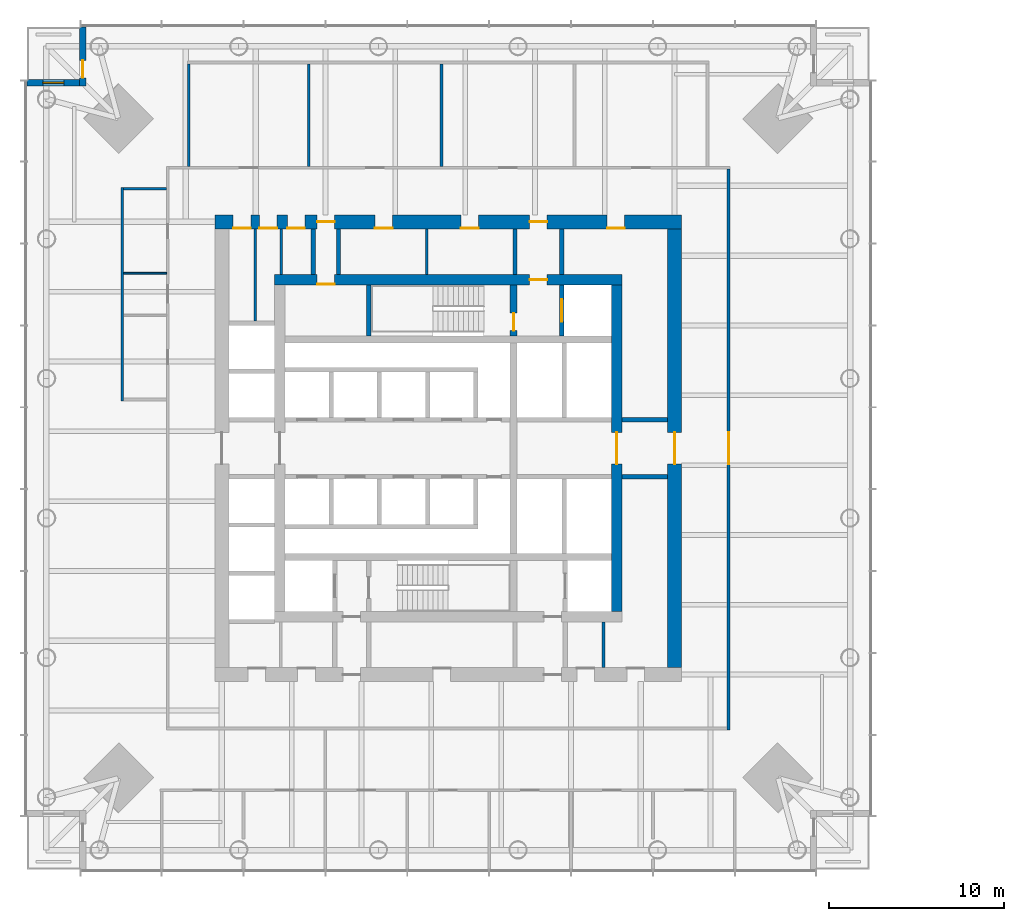
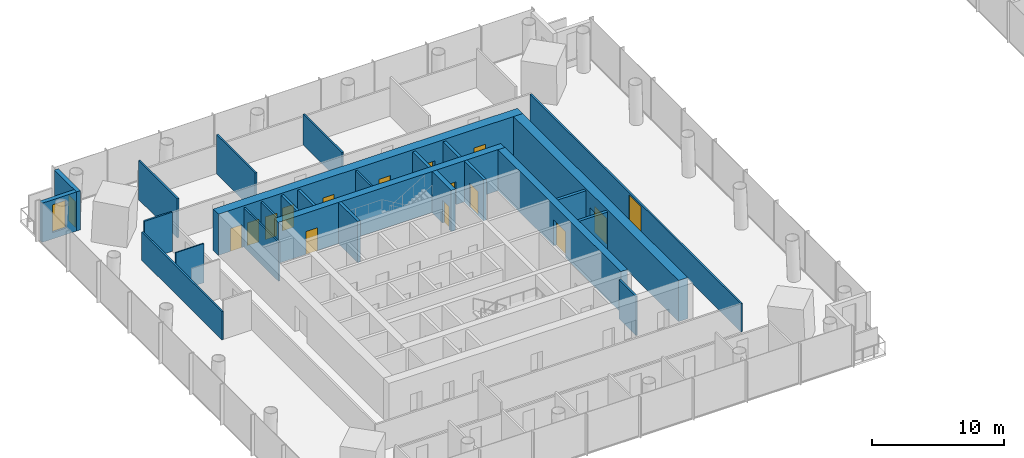
# One storey, part 10 of 18: 26 walls, 16 doors, 1 window, 17 openings.
"""IFC4 building model written with IfcOpenShell, lengths in metres."""

from ifc_helpers import new_model, si_unit, direction, frame, frame_2d, origin, place, context, subcontext, project, spatial, rectangle, extrude, material, layer, layer_set, type_object, element, fill, save


model = new_model("IFC4")

# Units and contexts
model_context = context("Model", 3, precision=1e-05, world=origin(), true_north=direction((0.0, 1.0)))
body_context = subcontext(model_context, "Body", "Model", "MODEL_VIEW")
ifc_project = project(units=[si_unit("LENGTHUNIT", "METRE"), si_unit("AREAUNIT", "SQUARE_METRE"), si_unit("VOLUMEUNIT", "CUBIC_METRE"), si_unit("PLANEANGLEUNIT", "RADIAN"), si_unit("MASSUNIT", "GRAM", prefix="KILO")], contexts=[model_context])

# Site, building, storey
site_placement = place(None, origin())
site = spatial("IfcSite", under=ifc_project, at=site_placement, CompositionType="ELEMENT")
building_placement = place(site_placement, origin())
building = spatial("IfcBuilding", under=site, at=building_placement, Name="Ostroluk Exchange", CompositionType="ELEMENT")
storey_placement = place(building_placement, frame((0.0, 0.0, 55.199951171875)))
storey = spatial("IfcBuildingStorey", under=building, at=storey_placement, Name="L13", CompositionType="ELEMENT", Elevation=55.199951171875)

# Walls
ifc_material_1 = material(Name="Concrete blockwork", Category="masonry")
ifc_layer_1 = layer(ifc_material_1, 0.10009765625)
ifc_layer_set_1 = layer_set([ifc_layer_1], Name="Blockwork WC wall 100")
wall_type_1 = type_object("IfcWallType", Name="Blockwork WC wall 100", PredefinedType="SOLIDWALL", material=ifc_layer_set_1)
wall_1_placement = place(storey_placement, frame((28.949951171875, 55.97509765625, 0.0), z_axis=(0.0, 0.0, 1.0), x_axis=(-1.0, 0.0, 0.0)))
element("IfcWall", 1, at=wall_1_placement, inside=storey, type_object=wall_type_1, Name="Blockwork WC wall", PredefinedType="SOLIDWALL", context=body_context, shape_type="SweptSolid", body=[
    extrude(rectangle(XDim=2.449951171875, YDim=0.10009765625, at=frame_2d((1.22509765625, 0.0))), origin(), (0.0, 0.0, 1.0), 3.6201171875),
])
ifc_material_2 = material(Name="Concrete blockwork", Category="masonry")
ifc_layer_2 = layer(ifc_material_2, 0.14990234375)
ifc_layer_set_2 = layer_set([ifc_layer_2], Name="Blockwork plant room wall 150")
wall_type_2 = type_object("IfcWallType", Name="Blockwork plant room wall 150", PredefinedType="SOLIDWALL", material=ifc_layer_set_2)
wall_2_placement = place(storey_placement, frame((33.99609375, 53.25, 0.0), z_axis=(0.0, 0.0, 1.0), x_axis=(0.0, 1.0, 0.0)))
element("IfcWall", 2, at=wall_2_placement, inside=storey, type_object=wall_type_2, Name="Core room wall", PredefinedType="SOLIDWALL", context=body_context, shape_type="SweptSolid", body=[
    extrude(rectangle(XDim=5.25, YDim=0.14990234375, at=frame_2d((2.625, 0.0))), origin(), (0.0, 0.0, 1.0), 3.6201171875),
])
for number, where, z_axis, x_axis, name in (
    (3, (35.491943359375, 55.89990234375, 0.0), (0.0, 0.0, 1.0), (0.0, 1.0, 0.0), "Core room wall"),
    (4, (43.777587890625, 55.89990234375, 0.0), (0.0, 0.0, 1.0), (0.0, 1.0, 0.0), "Core room wall"),
    (5, (53.85205078125, 33.5, 0.0), (0.0, 0.0, 1.0), (0.0, 1.0, 0.0), "Core room wall"),
):
    element("IfcWall", number, at=place(storey_placement, frame(where, z_axis=z_axis, x_axis=x_axis)), inside=storey, type_object=wall_type_2, Name=name, PredefinedType="SOLIDWALL", context=body_context, shape_type="SweptSolid", body=[
        extrude(rectangle(XDim=2.60009765625, YDim=0.14990234375, at=frame_2d((1.300048828125, 0.0))), origin(), (0.0, 0.0, 1.0), 3.6201171875),
    ])
ifc_material_3 = material(Name="Concrete blockwork", Category="masonry")
ifc_layer_3 = layer(ifc_material_3, 0.25)
ifc_layer_set_3 = layer_set([ifc_layer_3], Name="Blockwork stair enclosure wall 250")
wall_type_3 = type_object("IfcWallType", Name="Blockwork stair enclosure wall 250", PredefinedType="SOLIDWALL", material=ifc_layer_set_3)
for number, where, z_axis, x_axis, name in (
    (6, (48.804931640625, 55.89990234375, 0.0), (0.0, 0.0, 1.0), (0.0, 1.0, 0.0), "Fire lobby enclosure wall"),
    (7, (51.47509765625, 55.89990234375, 0.0), (0.0, 0.0, 1.0), (0.0, 1.0, 0.0), "Fire lobby enclosure wall"),
    (8, (54.89990234375, 44.375, 0.0), (0.0, 0.0, 1.0), (1.0, 0.0, 0.0), "Lift lobby enclosure wall"),
    (9, (54.89990234375, 47.625, 0.0), (0.0, 0.0, 1.0), (1.0, 0.0, 0.0), "Lift lobby enclosure wall"),
    (10, (37.300048828125, 55.89990234375, 0.0), (0.0, 0.0, 1.0), (0.0, 1.0, 0.0), "Core corridor wall"),
    (11, (38.75, 55.89990234375, 0.0), (0.0, 0.0, 1.0), (0.0, 1.0, 0.0), "Core corridor wall"),
):
    element("IfcWall", number, at=place(storey_placement, frame(where, z_axis=z_axis, x_axis=x_axis)), inside=storey, type_object=wall_type_3, Name=name, PredefinedType="SOLIDWALL", context=body_context, shape_type="SweptSolid", body=[
        extrude(rectangle(XDim=2.60009765625, YDim=0.25, at=frame_2d((1.300048828125, 0.0))), origin(), (0.0, 0.0, 1.0), 3.6201171875),
    ])

# Wall, opening, door
ifc_material_4 = material(Name="Concrete C50/60", Category="concrete")
ifc_layer_4 = layer(ifc_material_4, 0.39990234375)
ifc_layer_set_4 = layer_set([ifc_layer_4], Name="Core cross wall 400 C50/60")
wall_type_4 = type_object("IfcWallType", Name="Core cross wall 400 C50/60", PredefinedType="SHEAR", material=ifc_layer_set_4)
wall_3_placement = place(storey_placement, frame((48.72998046875, 52.39990234375, 0.0), z_axis=(0.0, 0.0, 1.0), x_axis=(0.0, 1.0, 0.0)))
wall_3 = element("IfcWall", 12, at=wall_3_placement, inside=storey, type_object=wall_type_4, Name="T1 core wall YE3", PredefinedType="SHEAR", context=body_context, shape_type="SweptSolid", body=[
    extrude(rectangle(XDim=2.900146484375, YDim=0.39990234375, at=frame_2d((1.4501953125, 0.0))), origin(), (0.0, 0.0, 1.0), 3.800048828125),
])
opening_1_placement = place(wall_3_placement, frame((0.300048828125, 0.0, 0.0)))
opening_1 = element("IfcOpeningElement", 13, at=opening_1_placement, cuts=wall_3, Name="Opening FD60", PredefinedType="OPENING", context=body_context, shape_type="SweptSolid", body=[
    extrude(rectangle(XDim=1.0, YDim=2.10009765625, at=frame_2d((0.5, 1.050048828125))), frame((0.0, 0.2099609375, 0.0), z_axis=(0.0, -1.0, 0.0), x_axis=(1.0, 0.0, 0.0)), (0.0, 0.0, 1.0), 0.419921875),
])
ifc_material_5 = material(Name="Steel", Category="steel")
door_type_1 = type_object("IfcDoorType", Name="Fire door EI 60 1000 x 2100", OperationType="SINGLE_SWING_LEFT", PredefinedType="DOOR", material=ifc_material_5)
door_1_placement = place(opening_1_placement, origin())
door_1 = element("IfcDoor", 14, at=door_1_placement, inside=storey, type_object=door_type_1, Name="Stair T1-S2 door", OperationType="SINGLE_SWING_LEFT", OverallHeight=2.10009765625, OverallWidth=1.0, PredefinedType="DOOR", context=body_context, shape_type="SweptSolid", body=[
    extrude(rectangle(XDim=1.0, YDim=2.10009765625, at=frame_2d((0.5, 1.050048828125))), frame((0.0, 0.02490234375, 0.0), z_axis=(0.0, -1.0, 0.0), x_axis=(1.0, 0.0, 0.0)), (0.0, 0.0, 1.0), 0.050048828125),
])
fill(opening_1, door_1)

# Wall
ifc_material_6 = material(Name="Concrete C40/50", Category="concrete")
ifc_layer_5 = layer(ifc_material_6, 0.25)
ifc_layer_set_5 = layer_set([ifc_layer_5], Name="Core shaft wall 250")
wall_type_5 = type_object("IfcWallType", Name="Core shaft wall 250", PredefinedType="SHEAR", material=ifc_layer_set_5)
wall_4_placement = place(storey_placement, frame((40.47509765625, 52.39990234375, 0.0), z_axis=(0.0, 0.0, 1.0), x_axis=(0.0, 1.0, 0.0)))
element("IfcWall", 15, at=wall_4_placement, inside=storey, type_object=wall_type_5, Name="Stair shaft wall", PredefinedType="SHEAR", context=body_context, shape_type="SweptSolid", body=[
    extrude(rectangle(XDim=2.900146484375, YDim=0.25, at=frame_2d((1.4501953125, 0.0))), origin(), (0.0, 0.0, 1.0), 3.800048828125),
])

# Wall, opening, door
wall_5_placement = place(storey_placement, frame((51.47509765625, 52.39990234375, 0.0), z_axis=(0.0, 0.0, 1.0), x_axis=(0.0, 1.0, 0.0)))
wall_5 = element("IfcWall", 16, at=wall_5_placement, inside=storey, type_object=wall_type_5, Name="Firefighting lift shaft wall", PredefinedType="SHEAR", context=body_context, shape_type="SweptSolid", body=[
    extrude(rectangle(XDim=2.900146484375, YDim=0.25, at=frame_2d((1.4501953125, 0.0))), origin(), (0.0, 0.0, 1.0), 3.800048828125),
])
opening_2_placement = place(wall_5_placement, frame((0.800048828125, 0.0, 0.0)))
opening_2 = element("IfcOpeningElement", 17, at=opening_2_placement, cuts=wall_5, Name="Opening LD2", PredefinedType="OPENING", context=body_context, shape_type="SweptSolid", body=[
    extrude(rectangle(XDim=1.300048828125, YDim=2.199951171875, at=frame_2d((0.64990234375, 1.10009765625))), frame((0.0, 0.135009765625, 0.0), z_axis=(0.0, -1.0, 0.0), x_axis=(1.0, 0.0, 0.0)), (0.0, 0.0, 1.0), 0.27001953125),
])
ifc_material_7 = material(Name="Stainless steel", Category="steel")
door_type_2 = type_object("IfcDoorType", Name="Lift landing door E 60 1300 x 2200", OperationType="DOUBLE_DOOR_SLIDING", PredefinedType="DOOR", material=ifc_material_7)
door_2_placement = place(opening_2_placement, origin())
door_2 = element("IfcDoor", 18, at=door_2_placement, inside=storey, type_object=door_type_2, Name="Lift FL2 landing door", OperationType="DOUBLE_DOOR_SLIDING", OverallHeight=2.199951171875, OverallWidth=1.300048828125, PredefinedType="DOOR", context=body_context, shape_type="SweptSolid", body=[
    extrude(rectangle(XDim=1.300048828125, YDim=2.199951171875, at=frame_2d((0.64990234375, 1.10009765625))), frame((0.0, 0.02490234375, 0.0), z_axis=(0.0, -1.0, 0.0), x_axis=(1.0, 0.0, 0.0)), (0.0, 0.0, 1.0), 0.050048828125),
])
fill(opening_2, door_2)

# Wall, openings, doors
ifc_material_8 = material(Name="Concrete C50/60", Category="concrete")
ifc_layer_6 = layer(ifc_material_8, 0.60009765625)
ifc_layer_set_6 = layer_set([ifc_layer_6], Name="Core wall 600 C50/60")
wall_type_6 = type_object("IfcWallType", Name="Core wall 600 C50/60", PredefinedType="SHEAR", material=ifc_layer_set_6)
wall_6_placement = place(storey_placement, frame((35.10009765625, 55.60009765625, 0.0), z_axis=(0.0, 0.0, 1.0), x_axis=(1.0, 0.0, 0.0)))
wall_6 = element("IfcWall", 19, at=wall_6_placement, inside=storey, type_object=wall_type_6, Name="T1 core wall N", PredefinedType="SHEAR", context=body_context, shape_type="SweptSolid", body=[
    extrude(rectangle(XDim=19.7998046875, YDim=0.60009765625, at=frame_2d((9.89990234375, 0.0))), origin(), (0.0, 0.0, 1.0), 3.800048828125),
])
opening_3_placement = place(wall_6_placement, frame((14.5400390625, 0.0, 0.0)))
opening_3 = element("IfcOpeningElement", 20, at=opening_3_placement, cuts=wall_6, Name="Opening FD60", PredefinedType="OPENING", context=body_context, shape_type="SweptSolid", body=[
    extrude(rectangle(XDim=1.0, YDim=2.10009765625, at=frame_2d((0.5, 1.050048828125))), frame((0.0, 0.31005859375, 0.0), z_axis=(0.0, -1.0, 0.0), x_axis=(1.0, 0.0, 0.0)), (0.0, 0.0, 1.0), 0.6201171875),
])
opening_4_placement = place(wall_6_placement, frame((2.425048828125, 0.0, 0.0)))
opening_4 = element("IfcOpeningElement", 21, at=opening_4_placement, cuts=wall_6, Name="Opening FD60", PredefinedType="OPENING", context=body_context, shape_type="SweptSolid", body=[
    extrude(rectangle(XDim=1.0, YDim=2.10009765625, at=frame_2d((0.5, 1.050048828125))), frame((0.0, 0.31005859375, 0.0), z_axis=(0.0, -1.0, 0.0), x_axis=(1.0, 0.0, 0.0)), (0.0, 0.0, 1.0), 0.6201171875),
])
door_3_placement = place(opening_3_placement, origin())
door_3 = element("IfcDoor", 22, at=door_3_placement, inside=storey, type_object=door_type_1, Name="Firefighting lobby door", OperationType="SINGLE_SWING_RIGHT", OverallHeight=2.10009765625, OverallWidth=1.0, PredefinedType="DOOR", context=body_context, shape_type="SweptSolid", body=[
    extrude(rectangle(XDim=1.0, YDim=2.10009765625, at=frame_2d((0.5, 1.050048828125))), frame((0.0, 0.02490234375, 0.0), z_axis=(0.0, -1.0, 0.0), x_axis=(1.0, 0.0, 0.0)), (0.0, 0.0, 1.0), 0.050048828125),
])
fill(opening_3, door_3)
door_4_placement = place(opening_4_placement, origin())
door_4 = element("IfcDoor", 23, at=door_4_placement, inside=storey, type_object=door_type_1, Name="Tea point door", OperationType="SINGLE_SWING_LEFT", OverallHeight=2.10009765625, OverallWidth=1.0, PredefinedType="DOOR", context=body_context, shape_type="SweptSolid", body=[
    extrude(rectangle(XDim=1.0, YDim=2.10009765625, at=frame_2d((0.5, 1.050048828125))), frame((0.0, -0.23974609375, 0.0), z_axis=(0.0, -1.0, 0.0), x_axis=(1.0, 0.0, 0.0)), (0.0, 0.0, 1.0), 0.050048828125),
])
fill(opening_4, door_4)

# Wall, opening, door
wall_7_placement = place(storey_placement, frame((54.60009765625, 36.699951171875, 0.0), z_axis=(0.0, 0.0, 1.0), x_axis=(0.0, 1.0, 0.0)))
wall_7 = element("IfcWall", 24, at=wall_7_placement, inside=storey, type_object=wall_type_6, Name="T1 core wall E", PredefinedType="SHEAR", context=body_context, shape_type="SweptSolid", body=[
    extrude(rectangle(XDim=18.60009765625, YDim=0.60009765625, at=frame_2d((9.300048828125, 0.0))), origin(), (0.0, 0.0, 1.0), 3.800048828125),
])
opening_5_placement = place(wall_7_placement, frame((8.39990234375, 0.0, 0.0)))
opening_5 = element("IfcOpeningElement", 25, at=opening_5_placement, cuts=wall_7, Name="Opening FD30D", PredefinedType="OPENING", context=body_context, shape_type="SweptSolid", body=[
    extrude(rectangle(XDim=1.800048828125, YDim=2.39990234375, at=frame_2d((0.89990234375, 1.199951171875))), frame((0.0, 0.31005859375, 0.0), z_axis=(0.0, -1.0, 0.0), x_axis=(1.0, 0.0, 0.0)), (0.0, 0.0, 1.0), 0.6201171875),
])
ifc_material_9 = material(Name="Timber", Category="wood")
door_type_3 = type_object("IfcDoorType", Name="Lobby double door EI 30 1800 x 2400", OperationType="DOUBLE_DOOR_SINGLE_SWING", PredefinedType="DOOR", material=ifc_material_9)
door_5_placement = place(opening_5_placement, origin())
door_5 = element("IfcDoor", 26, at=door_5_placement, inside=storey, type_object=door_type_3, Name="Lift lobby doors", OperationType="DOUBLE_DOOR_SINGLE_SWING", OverallHeight=2.39990234375, OverallWidth=1.800048828125, PredefinedType="DOOR", context=body_context, shape_type="SweptSolid", body=[
    extrude(rectangle(XDim=1.800048828125, YDim=2.39990234375, at=frame_2d((0.89990234375, 1.199951171875))), frame((0.0, 0.02490234375, 0.0), z_axis=(0.0, -1.0, 0.0), x_axis=(1.0, 0.0, 0.0)), (0.0, 0.0, 1.0), 0.050048828125),
])
fill(opening_5, door_5)

# Wall, openings, doors
ifc_material_10 = material(Name="Concrete C50/60", Category="concrete")
ifc_layer_7 = layer(ifc_material_10, 0.800048828125)
ifc_layer_set_7 = layer_set([ifc_layer_7], Name="Core wall 800 C50/60")
wall_type_7 = type_object("IfcWallType", Name="Core wall 800 C50/60", PredefinedType="SHEAR", material=ifc_layer_set_7)
wall_8_placement = place(storey_placement, frame((31.699951171875, 58.89990234375, 0.0), z_axis=(0.0, 0.0, 1.0), x_axis=(1.0, 0.0, 0.0)))
wall_8 = element("IfcWall", 27, at=wall_8_placement, inside=storey, type_object=wall_type_7, Name="T1 core wall RN", PredefinedType="SHEAR", context=body_context, shape_type="SweptSolid", body=[
    extrude(rectangle(XDim=26.60009765625, YDim=0.800048828125, at=frame_2d((13.300048828125, 0.0))), origin(), (0.0, 0.0, 1.0), 3.800048828125),
])
opening_6_placement = place(wall_8_placement, frame((17.93994140625, 0.0, 0.0)))
opening_6 = element("IfcOpeningElement", 28, at=opening_6_placement, cuts=wall_8, Name="Opening FD60", PredefinedType="OPENING", context=body_context, shape_type="SweptSolid", body=[
    extrude(rectangle(XDim=1.0, YDim=2.10009765625, at=frame_2d((0.5, 1.050048828125))), frame((0.0, 0.409912109375, 0.0), z_axis=(0.0, -1.0, 0.0), x_axis=(1.0, 0.0, 0.0)), (0.0, 0.0, 1.0), 0.820068359375),
])
opening_7_placement = place(wall_8_placement, frame((5.824951171875, 0.0, 0.0)))
opening_7 = element("IfcOpeningElement", 29, at=opening_7_placement, cuts=wall_8, Name="Opening FD60", PredefinedType="OPENING", context=body_context, shape_type="SweptSolid", body=[
    extrude(rectangle(XDim=1.0, YDim=2.10009765625, at=frame_2d((0.5, 1.050048828125))), frame((0.0, 0.409912109375, 0.0), z_axis=(0.0, -1.0, 0.0), x_axis=(1.0, 0.0, 0.0)), (0.0, 0.0, 1.0), 0.820068359375),
])
opening_8_placement = place(wall_8_placement, frame((1.050048828125, 0.0, 0.0)))
opening_8 = element("IfcOpeningElement", 30, at=opening_8_placement, cuts=wall_8, Name="Opening FD60", PredefinedType="OPENING", context=body_context, shape_type="SweptSolid", body=[
    extrude(rectangle(XDim=1.0, YDim=2.10009765625, at=frame_2d((0.5, 1.050048828125))), frame((0.0, 0.409912109375, 0.0), z_axis=(0.0, -1.0, 0.0), x_axis=(1.0, 0.0, 0.0)), (0.0, 0.0, 1.0), 0.820068359375),
])
opening_9_placement = place(wall_8_placement, frame((2.5458984375, 0.0, 0.0)))
opening_9 = element("IfcOpeningElement", 31, at=opening_9_placement, cuts=wall_8, Name="Opening FD60", PredefinedType="OPENING", context=body_context, shape_type="SweptSolid", body=[
    extrude(rectangle(XDim=1.0, YDim=2.10009765625, at=frame_2d((0.5, 1.050048828125))), frame((0.0, 0.409912109375, 0.0), z_axis=(0.0, -1.0, 0.0), x_axis=(1.0, 0.0, 0.0)), (0.0, 0.0, 1.0), 0.820068359375),
])
opening_10_placement = place(wall_8_placement, frame((4.133544921875, 0.0, 0.0)))
opening_10 = element("IfcOpeningElement", 32, at=opening_10_placement, cuts=wall_8, Name="Opening FD60", PredefinedType="OPENING", context=body_context, shape_type="SweptSolid", body=[
    extrude(rectangle(XDim=1.0, YDim=2.10009765625, at=frame_2d((0.5, 1.050048828125))), frame((0.0, 0.409912109375, 0.0), z_axis=(0.0, -1.0, 0.0), x_axis=(1.0, 0.0, 0.0)), (0.0, 0.0, 1.0), 0.820068359375),
])
opening_11_placement = place(wall_8_placement, frame((9.126220703125, 0.0, 0.0)))
opening_11 = element("IfcOpeningElement", 33, at=opening_11_placement, cuts=wall_8, Name="Opening FD60", PredefinedType="OPENING", context=body_context, shape_type="SweptSolid", body=[
    extrude(rectangle(XDim=1.0, YDim=2.10009765625, at=frame_2d((0.5, 1.050048828125))), frame((0.0, 0.409912109375, 0.0), z_axis=(0.0, -1.0, 0.0), x_axis=(1.0, 0.0, 0.0)), (0.0, 0.0, 1.0), 0.820068359375),
])
opening_12_placement = place(wall_8_placement, frame((14.02880859375, 0.0, 0.0)))
opening_12 = element("IfcOpeningElement", 34, at=opening_12_placement, cuts=wall_8, Name="Opening FD60", PredefinedType="OPENING", context=body_context, shape_type="SweptSolid", body=[
    extrude(rectangle(XDim=1.0, YDim=2.10009765625, at=frame_2d((0.5, 1.050048828125))), frame((0.0, 0.409912109375, 0.0), z_axis=(0.0, -1.0, 0.0), x_axis=(1.0, 0.0, 0.0)), (0.0, 0.0, 1.0), 0.820068359375),
])
opening_13_placement = place(wall_8_placement, frame((22.35009765625, 0.0, 0.0)))
opening_13 = element("IfcOpeningElement", 35, at=opening_13_placement, cuts=wall_8, Name="Opening FD60", PredefinedType="OPENING", context=body_context, shape_type="SweptSolid", body=[
    extrude(rectangle(XDim=1.0, YDim=2.10009765625, at=frame_2d((0.5, 1.050048828125))), frame((0.0, 0.409912109375, 0.0), z_axis=(0.0, -1.0, 0.0), x_axis=(1.0, 0.0, 0.0)), (0.0, 0.0, 1.0), 0.820068359375),
])
door_6_placement = place(opening_6_placement, origin())
door_6 = element("IfcDoor", 36, at=door_6_placement, inside=storey, type_object=door_type_1, Name="Firefighting lobby door", OperationType="SINGLE_SWING_RIGHT", OverallHeight=2.10009765625, OverallWidth=1.0, PredefinedType="DOOR", context=body_context, shape_type="SweptSolid", body=[
    extrude(rectangle(XDim=1.0, YDim=2.10009765625, at=frame_2d((0.5, 1.050048828125))), frame((0.0, 0.02490234375, 0.0), z_axis=(0.0, -1.0, 0.0), x_axis=(1.0, 0.0, 0.0)), (0.0, 0.0, 1.0), 0.050048828125),
])
fill(opening_6, door_6)
door_7_placement = place(opening_7_placement, origin())
door_7 = element("IfcDoor", 37, at=door_7_placement, inside=storey, type_object=door_type_1, Name="Core corridor door", OperationType="SINGLE_SWING_LEFT", OverallHeight=2.10009765625, OverallWidth=1.0, PredefinedType="DOOR", context=body_context, shape_type="SweptSolid", body=[
    extrude(rectangle(XDim=1.0, YDim=2.10009765625, at=frame_2d((0.5, 1.050048828125))), frame((0.0, 0.02490234375, 0.0), z_axis=(0.0, -1.0, 0.0), x_axis=(1.0, 0.0, 0.0)), (0.0, 0.0, 1.0), 0.050048828125),
])
fill(opening_7, door_7)
door_8_placement = place(opening_8_placement, origin())
door_8 = element("IfcDoor", 38, at=door_8_placement, inside=storey, type_object=door_type_1, Name="Tenant IT room door", OperationType="SINGLE_SWING_LEFT", OverallHeight=2.10009765625, OverallWidth=1.0, PredefinedType="DOOR", context=body_context, shape_type="SweptSolid", body=[
    extrude(rectangle(XDim=1.0, YDim=2.10009765625, at=frame_2d((0.5, 1.050048828125))), frame((0.0, -0.33984375, 0.0), z_axis=(0.0, -1.0, 0.0), x_axis=(1.0, 0.0, 0.0)), (0.0, 0.0, 1.0), 0.050048828125),
])
fill(opening_8, door_8)
door_9_placement = place(opening_9_placement, origin())
door_9 = element("IfcDoor", 39, at=door_9_placement, inside=storey, type_object=door_type_1, Name="First aid room door", OperationType="SINGLE_SWING_LEFT", OverallHeight=2.10009765625, OverallWidth=1.0, PredefinedType="DOOR", context=body_context, shape_type="SweptSolid", body=[
    extrude(rectangle(XDim=1.0, YDim=2.10009765625, at=frame_2d((0.5, 1.050048828125))), frame((0.0, -0.33984375, 0.0), z_axis=(0.0, -1.0, 0.0), x_axis=(1.0, 0.0, 0.0)), (0.0, 0.0, 1.0), 0.050048828125),
])
fill(opening_9, door_9)
door_10_placement = place(opening_10_placement, origin())
door_10 = element("IfcDoor", 40, at=door_10_placement, inside=storey, type_object=door_type_1, Name="Store door", OperationType="SINGLE_SWING_LEFT", OverallHeight=2.10009765625, OverallWidth=1.0, PredefinedType="DOOR", context=body_context, shape_type="SweptSolid", body=[
    extrude(rectangle(XDim=1.0, YDim=2.10009765625, at=frame_2d((0.5, 1.050048828125))), frame((0.0, -0.33984375, 0.0), z_axis=(0.0, -1.0, 0.0), x_axis=(1.0, 0.0, 0.0)), (0.0, 0.0, 1.0), 0.050048828125),
])
fill(opening_10, door_10)
door_11_placement = place(opening_11_placement, origin())
door_11 = element("IfcDoor", 41, at=door_11_placement, inside=storey, type_object=door_type_1, Name="Print and post room door", OperationType="SINGLE_SWING_LEFT", OverallHeight=2.10009765625, OverallWidth=1.0, PredefinedType="DOOR", context=body_context, shape_type="SweptSolid", body=[
    extrude(rectangle(XDim=1.0, YDim=2.10009765625, at=frame_2d((0.5, 1.050048828125))), frame((0.0, -0.33984375, 0.0), z_axis=(0.0, -1.0, 0.0), x_axis=(1.0, 0.0, 0.0)), (0.0, 0.0, 1.0), 0.050048828125),
])
fill(opening_11, door_11)
door_12_placement = place(opening_12_placement, origin())
door_12 = element("IfcDoor", 42, at=door_12_placement, inside=storey, type_object=door_type_1, Name="Archive door", OperationType="SINGLE_SWING_RIGHT", OverallHeight=2.10009765625, OverallWidth=1.0, PredefinedType="DOOR", context=body_context, shape_type="SweptSolid", body=[
    extrude(rectangle(XDim=1.0, YDim=2.10009765625, at=frame_2d((0.5, 1.050048828125))), frame((0.0, -0.33984375, 0.0), z_axis=(0.0, -1.0, 0.0), x_axis=(1.0, 0.0, 0.0)), (0.0, 0.0, 1.0), 0.050048828125),
])
fill(opening_12, door_12)
door_13_placement = place(opening_13_placement, origin())
door_13 = element("IfcDoor", 43, at=door_13_placement, inside=storey, type_object=door_type_1, Name="First aid room door", OperationType="SINGLE_SWING_RIGHT", OverallHeight=2.10009765625, OverallWidth=1.0, PredefinedType="DOOR", context=body_context, shape_type="SweptSolid", body=[
    extrude(rectangle(XDim=1.0, YDim=2.10009765625, at=frame_2d((0.5, 1.050048828125))), frame((0.0, -0.33984375, 0.0), z_axis=(0.0, -1.0, 0.0), x_axis=(1.0, 0.0, 0.0)), (0.0, 0.0, 1.0), 0.050048828125),
])
fill(opening_13, door_13)

# Wall, opening, door
wall_9_placement = place(storey_placement, frame((57.89990234375, 33.5, 0.0), z_axis=(0.0, 0.0, 1.0), x_axis=(0.0, 1.0, 0.0)))
wall_9 = element("IfcWall", 44, at=wall_9_placement, inside=storey, type_object=wall_type_7, Name="T1 core wall RE", PredefinedType="SHEAR", context=body_context, shape_type="SweptSolid", body=[
    extrude(rectangle(XDim=25.0, YDim=0.800048828125, at=frame_2d((12.5, 0.0))), origin(), (0.0, 0.0, 1.0), 3.800048828125),
])
opening_14_placement = place(wall_9_placement, frame((11.60009765625, 0.0, 0.0)))
opening_14 = element("IfcOpeningElement", 45, at=opening_14_placement, cuts=wall_9, Name="Opening FD30D", PredefinedType="OPENING", context=body_context, shape_type="SweptSolid", body=[
    extrude(rectangle(XDim=1.800048828125, YDim=2.39990234375, at=frame_2d((0.89990234375, 1.199951171875))), frame((0.0, 0.409912109375, 0.0), z_axis=(0.0, -1.0, 0.0), x_axis=(1.0, 0.0, 0.0)), (0.0, 0.0, 1.0), 0.820068359375),
])
door_14_placement = place(opening_14_placement, origin())
door_14 = element("IfcDoor", 46, at=door_14_placement, inside=storey, type_object=door_type_3, Name="Lift lobby doors", OperationType="DOUBLE_DOOR_SINGLE_SWING", OverallHeight=2.39990234375, OverallWidth=1.800048828125, PredefinedType="DOOR", context=body_context, shape_type="SweptSolid", body=[
    extrude(rectangle(XDim=1.800048828125, YDim=2.39990234375, at=frame_2d((0.89990234375, 1.199951171875))), frame((0.0, 0.02490234375, 0.0), z_axis=(0.0, -1.0, 0.0), x_axis=(1.0, 0.0, 0.0)), (0.0, 0.0, 1.0), 0.050048828125),
])
fill(opening_14, door_14)

ifc_material_11 = material(Name="Limestone", Category="masonry")
ifc_layer_8 = layer(ifc_material_11, 0.35009765625)
ifc_layer_set_8 = layer_set([ifc_layer_8], Name="Limestone facade wall 350")
wall_type_8 = type_object("IfcWallType", Name="Limestone facade wall 350", PredefinedType="SOLIDWALL", material=ifc_layer_set_8)
wall_10_placement = place(storey_placement, frame((24.175048828125, 70.0, 0.0), z_axis=(0.0, 0.0, 1.0), x_axis=(0.0, -1.0, 0.0)))
wall_10 = element("IfcWall", 47, at=wall_10_placement, inside=storey, type_object=wall_type_8, Name="Office tower NW corner wall L13 a", PredefinedType="SOLIDWALL", context=body_context, shape_type="SweptSolid", body=[
    extrude(rectangle(XDim=3.35009765625, YDim=0.35009765625, at=frame_2d((1.675048828125, 0.0))), origin(), (0.0, 0.0, 1.0), 3.6201171875),
])
opening_15_placement = place(wall_10_placement, frame((1.89990234375, 0.0, 0.0)))
opening_15 = element("IfcOpeningElement", 48, at=opening_15_placement, cuts=wall_10, Name="Opening D-B1", PredefinedType="OPENING", context=body_context, shape_type="SweptSolid", body=[
    extrude(rectangle(XDim=1.0, YDim=2.39990234375, at=frame_2d((0.5, 1.199951171875))), frame((0.0, 0.18505859375, 0.0), z_axis=(0.0, -1.0, 0.0), x_axis=(1.0, 0.0, 0.0)), (0.0, 0.0, 1.0), 0.3701171875),
])
ifc_material_12 = material(Name="Bronze framed glazed door", Category="aluminium")
door_type_4 = type_object("IfcDoorType", Name="Balcony door 1000 x 2400", OperationType="SINGLE_SWING_LEFT", PredefinedType="DOOR", material=ifc_material_12)
door_15_placement = place(opening_15_placement, origin())
door_15 = element("IfcDoor", 49, at=door_15_placement, inside=storey, type_object=door_type_4, Name="Office tower NW balcony door L13", OperationType="SINGLE_SWING_RIGHT", OverallHeight=2.39990234375, OverallWidth=1.0, PredefinedType="DOOR", context=body_context, shape_type="SweptSolid", body=[
    extrude(rectangle(XDim=1.0, YDim=2.39990234375, at=frame_2d((0.5, 1.199951171875))), frame((0.0, 0.02490234375, 0.0), z_axis=(0.0, -1.0, 0.0), x_axis=(1.0, 0.0, 0.0)), (0.0, 0.0, 1.0), 0.050048828125),
])
fill(opening_15, door_15)

# Wall, opening, window
wall_11_placement = place(storey_placement, frame((24.0, 66.824951171875, 0.0), z_axis=(0.0, 0.0, 1.0), x_axis=(-1.0, 0.0, 0.0)))
wall_11 = element("IfcWall", 50, at=wall_11_placement, inside=storey, type_object=wall_type_8, Name="Office tower NW corner wall L13 b", PredefinedType="SOLIDWALL", context=body_context, shape_type="SweptSolid", body=[
    extrude(rectangle(XDim=3.0, YDim=0.35009765625, at=frame_2d((1.5, 0.0))), origin(), (0.0, 0.0, 1.0), 3.6201171875),
])
opening_16_placement = place(wall_11_placement, frame((0.89990234375, 0.0, 0.60009765625)))
opening_16 = element("IfcOpeningElement", 51, at=opening_16_placement, cuts=wall_11, Name="Opening WN-L1", PredefinedType="OPENING", context=body_context, shape_type="SweptSolid", body=[
    extrude(rectangle(XDim=1.199951171875, YDim=2.550048828125, at=frame_2d((0.60009765625, 1.27490234375))), frame((0.0, 0.18505859375, 0.0), z_axis=(0.0, -1.0, 0.0), x_axis=(1.0, 0.0, 0.0)), (0.0, 0.0, 1.0), 0.3701171875),
])
ifc_material_13 = material(Name="Laminated clear glass", Category="glass")
window_type = type_object("IfcWindowType", Name="Lancet window 1200 x 2550", PartitioningType="SINGLE_PANEL", PredefinedType="WINDOW", material=ifc_material_13)
window_placement = place(opening_16_placement, origin())
window = element("IfcWindow", 52, at=window_placement, inside=storey, type_object=window_type, Name="Office tower NW lancet window L13", OverallHeight=2.550048828125, OverallWidth=1.199951171875, PartitioningType="SINGLE_PANEL", PredefinedType="WINDOW", context=body_context, shape_type="SweptSolid", body=[
    extrude(rectangle(XDim=1.199951171875, YDim=2.550048828125, at=frame_2d((0.60009765625, 1.27490234375))), frame((0.0, 0.030029296875, 0.0), z_axis=(0.0, -1.0, 0.0), x_axis=(1.0, 0.0, 0.0)), (0.0, 0.0, 1.0), 0.06005859375),
])
fill(opening_16, window)

# Walls
ifc_material_14 = material(Name="Gypsum plasterboard partition", Category="gypsum")
ifc_layer_9 = layer(ifc_material_14, 0.14990234375)
ifc_layer_set_9 = layer_set([ifc_layer_9], Name="Plasterboard partition 150")
wall_type_9 = type_object("IfcWallType", Name="Plasterboard partition 150", PredefinedType="PARTITIONING", material=ifc_layer_set_9)
wall_12_placement = place(storey_placement, frame((44.62109375, 62.050048828125, 0.0), z_axis=(0.0, 0.0, 1.0), x_axis=(0.0, 1.0, 0.0)))
element("IfcWall", 53, at=wall_12_placement, inside=storey, type_object=wall_type_9, Name="Partition", PredefinedType="PARTITIONING", context=body_context, shape_type="SweptSolid", body=[
    extrude(rectangle(XDim=5.849853515625, YDim=0.14990234375, at=frame_2d((2.9248046875, 0.0))), origin(), (0.0, 0.0, 1.0), 2.85009765625),
])
for number, where, z_axis, x_axis, name in (
    (54, (37.044189453125, 62.050048828125, 0.0), (0.0, 0.0, 1.0), (0.0, 1.0, 0.0), "Partition"),
    (55, (30.22509765625, 62.050048828125, 0.0), (0.0, 0.0, 1.0), (0.0, 1.0, 0.0), "Partition"),
):
    element("IfcWall", number, at=place(storey_placement, frame(where, z_axis=z_axis, x_axis=x_axis)), inside=storey, type_object=wall_type_9, Name=name, PredefinedType="PARTITIONING", context=body_context, shape_type="SweptSolid", body=[
        extrude(rectangle(XDim=5.849853515625, YDim=0.14990234375, at=frame_2d((2.9248046875, 0.0))), origin(), (0.0, 0.0, 1.0), 3.6201171875),
    ])

# Wall, opening, door
wall_13_placement = place(storey_placement, frame((60.97509765625, 29.949951171875, 0.0), z_axis=(0.0, 0.0, 1.0), x_axis=(0.0, 1.0, 0.0)))
wall_13 = element("IfcWall", 56, at=wall_13_placement, inside=storey, type_object=wall_type_9, Name="Corridor wall", PredefinedType="PARTITIONING", context=body_context, shape_type="SweptSolid", body=[
    extrude(rectangle(XDim=31.949951171875, YDim=0.14990234375, at=frame_2d((15.97509765625, 0.0))), origin(), (0.0, 0.0, 1.0), 2.612060546875),
])
opening_17_placement = place(wall_13_placement, frame((15.14990234375, 0.0, 0.0)))
opening_17 = element("IfcOpeningElement", 57, at=opening_17_placement, cuts=wall_13, Name="Opening D-04", PredefinedType="OPENING", context=body_context, shape_type="SweptSolid", body=[
    extrude(rectangle(XDim=1.800048828125, YDim=2.39990234375, at=frame_2d((0.89990234375, 1.199951171875))), frame((0.0, 0.0849609375, 0.0), z_axis=(0.0, -1.0, 0.0), x_axis=(1.0, 0.0, 0.0)), (0.0, 0.0, 1.0), 0.169921875),
])
ifc_material_15 = material(Name="Timber", Category="wood")
door_type_5 = type_object("IfcDoorType", Name="Double door 1800 x 2400", OperationType="DOUBLE_DOOR_SINGLE_SWING", PredefinedType="DOOR", material=ifc_material_15)
door_16_placement = place(opening_17_placement, origin())
door_16 = element("IfcDoor", 58, at=door_16_placement, inside=storey, type_object=door_type_5, Name="Open plan office door", OperationType="DOUBLE_DOOR_SINGLE_SWING", OverallHeight=2.39990234375, OverallWidth=1.800048828125, PredefinedType="DOOR", context=body_context, shape_type="SweptSolid", body=[
    extrude(rectangle(XDim=1.800048828125, YDim=2.39990234375, at=frame_2d((0.89990234375, 1.199951171875))), frame((0.0, 0.02490234375, 0.0), z_axis=(0.0, -1.0, 0.0), x_axis=(1.0, 0.0, 0.0)), (0.0, 0.0, 1.0), 0.050048828125),
])
fill(opening_17, door_16)

# Walls
ifc_material_16 = material(Name="Gypsum plasterboard partition, moisture resistant", Category="gypsum")
ifc_layer_10 = layer(ifc_material_16, 0.14990234375)
ifc_layer_set_10 = layer_set([ifc_layer_10], Name="Plasterboard toilet partition 150")
wall_type_10 = type_object("IfcWallType", Name="Plasterboard toilet partition 150", PredefinedType="PARTITIONING", material=ifc_layer_set_10)
wall_14_placement = place(storey_placement, frame((26.425048828125, 60.85009765625, 0.0), z_axis=(0.0, 0.0, 1.0), x_axis=(0.0, -1.0, 0.0)))
element("IfcWall", 59, at=wall_14_placement, inside=storey, type_object=wall_type_10, Name="Toilet partition", PredefinedType="PARTITIONING", context=body_context, shape_type="SweptSolid", body=[
    extrude(rectangle(XDim=12.150146484375, YDim=0.14990234375, at=frame_2d((6.0751953125, 0.0))), origin(), (0.0, 0.0, 1.0), 2.612060546875),
])
wall_15_placement = place(storey_placement, frame((28.949951171875, 60.77490234375, 0.0), z_axis=(0.0, 0.0, 1.0), x_axis=(-1.0, 0.0, 0.0)))
element("IfcWall", 60, at=wall_15_placement, inside=storey, type_object=wall_type_10, Name="Toilet partition", PredefinedType="PARTITIONING", context=body_context, shape_type="SweptSolid", body=[
    extrude(rectangle(XDim=2.449951171875, YDim=0.14990234375, at=frame_2d((1.22509765625, 0.0))), origin(), (0.0, 0.0, 1.0), 3.6201171875),
])

save(model, "model.ifc")
